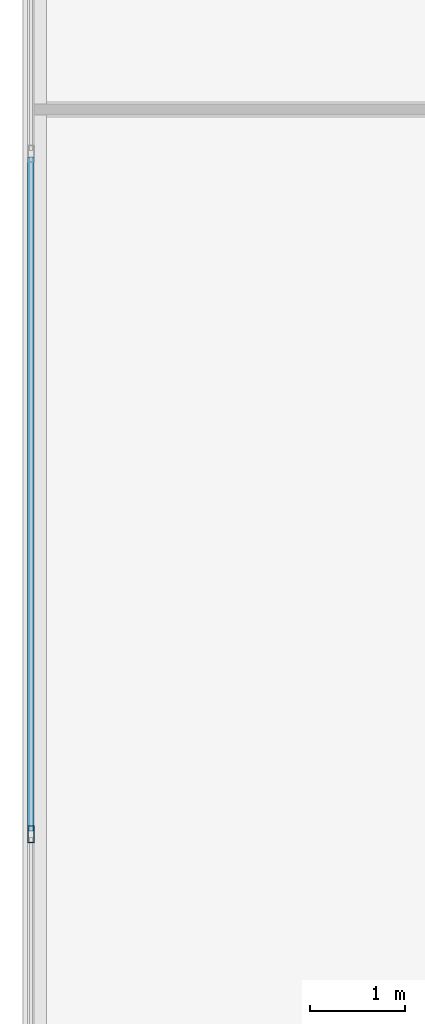
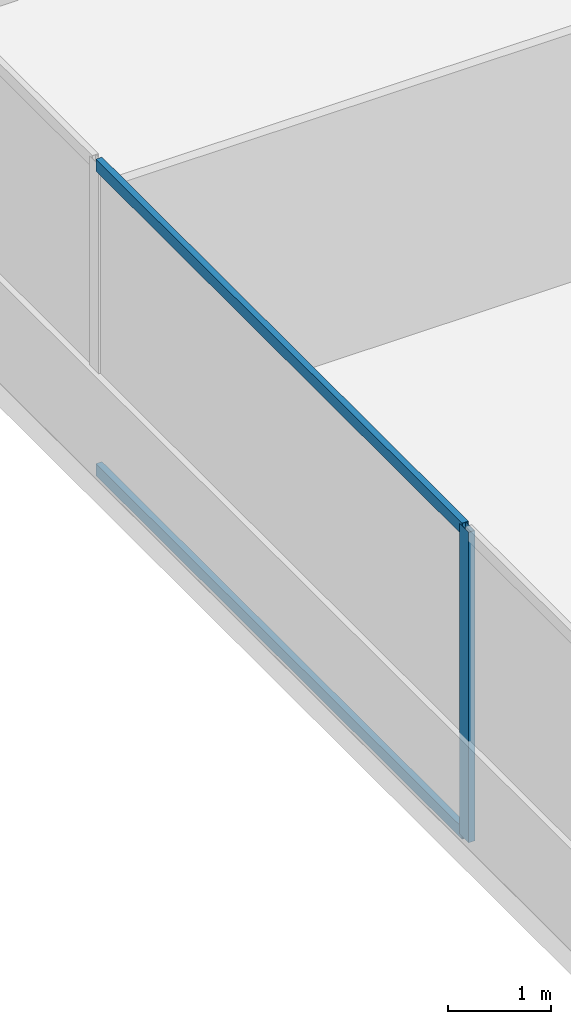
# One storey, part 4 of 30: 3 members, 1 element without a shape of its own.
"""IFC4 building model written with IfcOpenShell, lengths in metres."""

from ifc_helpers import new_model, si_unit, direction, frame, origin, origin_2d, place, context, subcontext, project, spatial, hollow_rectangle, extrude, source, transform, mapped, material, material_profile, profile_set, type_object, type_shapes, element, aggregate, save


model = new_model("IFC4")

# Units and contexts
model_context = context("Model", 3, precision=1e-05, world=origin(), true_north=direction((0.0, 1.0)))
body_context = subcontext(model_context, "Body", "Model", "MODEL_VIEW")
ifc_project = project(units=[si_unit("LENGTHUNIT", "METRE"), si_unit("AREAUNIT", "SQUARE_METRE"), si_unit("VOLUMEUNIT", "CUBIC_METRE"), si_unit("PLANEANGLEUNIT", "RADIAN"), si_unit("MASSUNIT", "GRAM", prefix="KILO")], contexts=[model_context])

# Site, building, storey
site_placement = place(None, origin())
site = spatial("IfcSite", under=ifc_project, at=site_placement, CompositionType="ELEMENT")
building_placement = place(site_placement, origin())
building = spatial("IfcBuilding", under=site, at=building_placement, Name="Krantzveldt Concourse Tower", CompositionType="ELEMENT")
storey_placement = place(building_placement, frame((0.0, 0.0, 25.0)))
storey = spatial("IfcBuildingStorey", under=building, at=storey_placement, Name="L05", CompositionType="ELEMENT", Elevation=25.0)

# Curtain wall, members
ifc_material = material(Name="Anodised aluminium 6063-T6", Category="aluminium")
curtain_wall_type = type_object("IfcCurtainWallType", Name="CW2", PredefinedType="USERDEFINED", material=ifc_material)
curtain_wall_placement = place(storey_placement, origin())
curtain_wall = element("IfcCurtainWall", 1, at=curtain_wall_placement, inside=storey, type_object=curtain_wall_type, Name="CW-L05-F01", ObjectType="UNITISED CURTAIN WALL", PredefinedType="USERDEFINED")
ifc_material_profile_1 = material_profile(ifc_material, hollow_rectangle(XDim=0.070068359375, YDim=0.179931640625, WallThickness=0.0048828125, at=origin_2d()), Name="Anodised aluminium 6063-T6", Category="aluminium")
ifc_profile_set_1 = profile_set([ifc_material_profile_1], Name="Anodised aluminium 6063-T6 - ALU-MULL 180x70x5")
member_type_1 = type_object("IfcMemberType", Name="CW-MUL-180", PredefinedType="MULLION", material=ifc_profile_set_1)
shared_shape_1 = source(origin(), body_context, "Body", "SweptSolid", [
    extrude(hollow_rectangle(XDim=0.070068359375, YDim=0.179931640625, WallThickness=0.0048828125, at=origin_2d()), origin(), (0.0, 0.0, 1.0), 3.669921875),
])
type_shapes(member_type_1, [shared_shape_1])
member_1_placement = place(storey_placement, frame((11.090087890625, 12.36669921875, 0.0), z_axis=(0.0, 0.0, 1.0), x_axis=(1.0, 0.0, 0.0)))
member_1 = element("IfcMember", 2, at=member_1_placement, type_object=member_type_1, Name="CW-Z12 mullion 6", PredefinedType="MULLION", context=body_context, shape_type="MappedRepresentation", body=[
    mapped(shared_shape_1, transform((0.0, 0.0, 0.0), x_axis=(1.0, 0.0, 0.0), y_axis=(0.0, 1.0, 0.0), z_axis=(0.0, 0.0, 1.0), scale=1.0)),
])
ifc_material_profile_2 = material_profile(ifc_material, hollow_rectangle(XDim=0.070068359375, YDim=0.139892578125, WallThickness=0.0048828125, at=origin_2d()), Name="Anodised aluminium 6063-T6", Category="aluminium")
ifc_profile_set_2 = profile_set([ifc_material_profile_2], Name="Anodised aluminium 6063-T6 - ALU-TRAN 140x70x5")
member_type_2 = type_object("IfcMemberType", Name="CW-TRN-150", PredefinedType="USERDEFINED", material=ifc_profile_set_2)
shared_shape_2 = source(origin(), body_context, "Body", "SweptSolid", [
    extrude(hollow_rectangle(XDim=0.070068359375, YDim=0.139892578125, WallThickness=0.0048828125, at=origin_2d()), origin(), (0.0, 0.0, 1.0), 7.0966796875),
])
type_shapes(member_type_2, [shared_shape_2])
member_2_placement = place(storey_placement, frame((11.090087890625, 19.498291015625, 0.034912109375), z_axis=(0.0, -1.0, 0.0), x_axis=(1.0, 0.0, 0.0)))
member_2 = element("IfcMember", 3, at=member_2_placement, type_object=member_type_2, Name="CW-Z12 transom 5.1", ObjectType="TRANSOM", PredefinedType="USERDEFINED", context=body_context, shape_type="MappedRepresentation", body=[
    mapped(shared_shape_2, transform((0.0, 0.0, 0.0), x_axis=(1.0, 0.0, 0.0), y_axis=(0.0, 1.0, 0.0), z_axis=(0.0, 0.0, 1.0), scale=1.0)),
])
member_3_placement = place(storey_placement, frame((11.090087890625, 19.498291015625, 3.635009765625), z_axis=(0.0, -1.0, 0.0), x_axis=(1.0, 0.0, 0.0)))
member_3 = element("IfcMember", 4, at=member_3_placement, type_object=member_type_2, Name="CW-Z12 transom 5.2", ObjectType="TRANSOM", PredefinedType="USERDEFINED", context=body_context, shape_type="MappedRepresentation", body=[
    mapped(shared_shape_2, transform((0.0, 0.0, 0.0), x_axis=(1.0, 0.0, 0.0), y_axis=(0.0, 1.0, 0.0), z_axis=(0.0, 0.0, 1.0), scale=1.0)),
])
aggregate(curtain_wall, [member_1, member_2, member_3])

save(model, "model.ifc")
